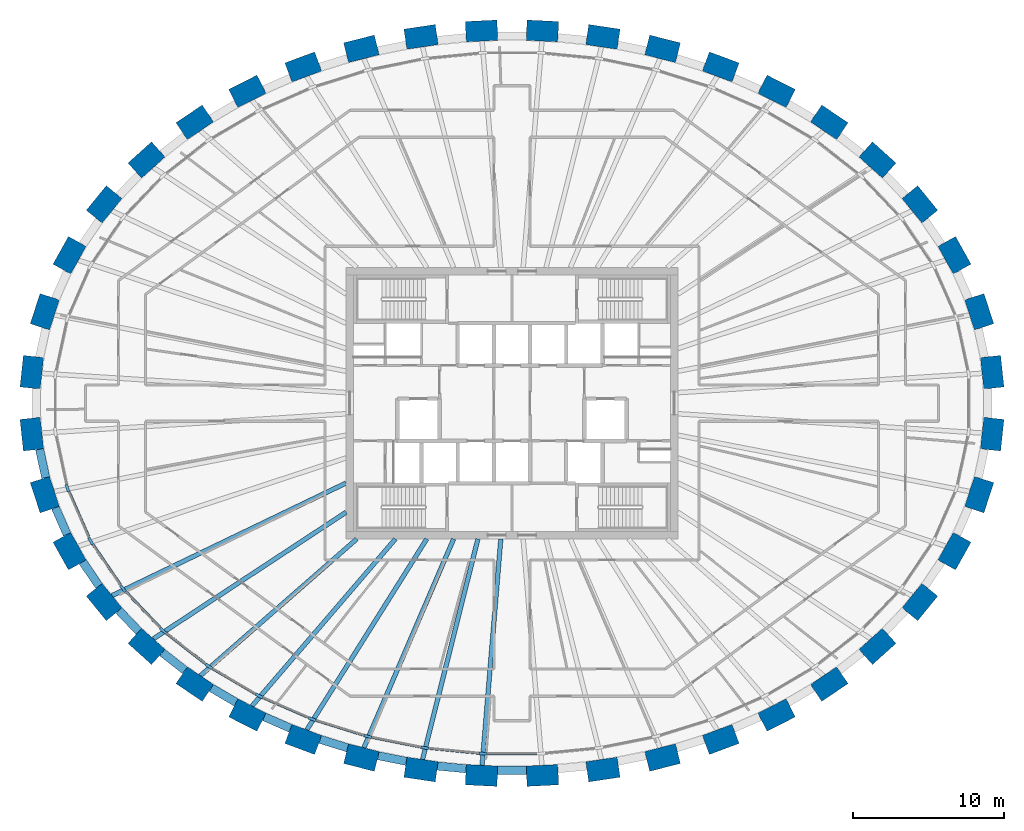
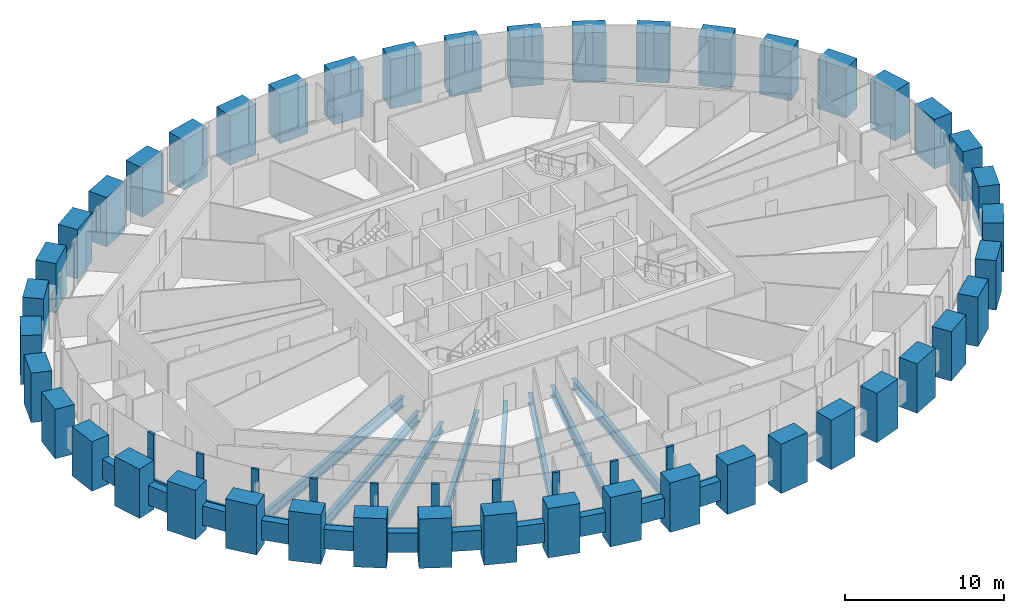
# One storey, part 1 of 12: 44 columns, 20 members, 19 beams, 1 element without a shape of its own.
"""IFC4 building model written with IfcOpenShell, lengths in metres."""

from ifc_helpers import new_model, si_unit, direction, frame, origin, origin_2d, place, context, subcontext, project, spatial, rectangle, i_section, extrude, source, transform, mapped, material, material_profile, profile_set, type_object, element, aggregate, save


model = new_model("IFC4")

# Units and contexts
model_context = context("Model", 3, precision=1e-05, world=origin(), true_north=direction((0.0, 1.0)))
body_context = subcontext(model_context, "Body", "Model", "MODEL_VIEW")
ifc_project = project(units=[si_unit("LENGTHUNIT", "METRE"), si_unit("AREAUNIT", "SQUARE_METRE"), si_unit("VOLUMEUNIT", "CUBIC_METRE"), si_unit("PLANEANGLEUNIT", "RADIAN"), si_unit("MASSUNIT", "GRAM", prefix="KILO")], contexts=[model_context])

# Site, building, storey
site_placement = place(None, origin())
site = spatial("IfcSite", under=ifc_project, at=site_placement, CompositionType="ELEMENT")
building_placement = place(site_placement, origin())
building = spatial("IfcBuilding", under=site, at=building_placement, Name="Embergate Tower", CompositionType="ELEMENT")
storey_placement = place(building_placement, frame((0.0, 0.0, 285.10009765625)))
storey = spatial("IfcBuildingStorey", under=building, at=storey_placement, Name="L66", CompositionType="ELEMENT", Elevation=285.10009765625)

# Columns
ifc_material_1 = material(Name="Concrete C60", Category="concrete")
ifc_material_profile_1 = material_profile(ifc_material_1, rectangle(XDim=1.35009765625, YDim=2.10009765625, at=origin_2d()), Name="RC 1350x2100")
ifc_profile_set_1 = profile_set([ifc_material_profile_1], Name="Concrete C60")
column_type = type_object("IfcColumnType", Name="Ring column RC 1350x2100 C60", PredefinedType="COLUMN", material=ifc_profile_set_1)
shared_shape_1 = source(origin(), body_context, "Body", "SweptSolid", [
    extrude(rectangle(XDim=1.35009765625, YDim=2.10009765625, at=origin_2d()), origin(), (0.0, 0.0, 1.0), 3.800048828125),
])
for number, where, z_axis, x_axis, name in (
    (1, (31.837890625, 2.052001953125, -1.400146484375), (0.0, 0.0, 1.0), (0.99428589498, 0.106749983816, 0.0), "COL-L66-00"),
    (2, (30.97607421875, 6.06103515625, -1.400146484375), (0.0, 0.0, 1.0), (0.950754033697, 0.309946394413, 0.0), "COL-L66-01"),
    (3, (29.33203125, 9.80810546875, -1.400146484375), (0.0, 0.0, 1.0), (0.873491969053, 0.486838556403, 0.0), "COL-L66-02"),
    (4, (27.0390625, 13.180908203125, -1.400146484375), (0.0, 0.0, 1.0), (0.775914301615, 0.630838328377, 0.0), "COL-L66-03"),
    (5, (24.23095703125, 16.125, -1.400146484375), (0.0, 0.0, 1.0), (0.669208424634, 0.74307475021, 0.0), "COL-L66-04"),
    (6, (21.032958984375, 18.6220703125, -1.400146484375), (0.0, 0.0, 1.0), (0.560393279442, 0.828226643109, 0.0), "COL-L66-05"),
    (7, (17.54296875, 20.674072265625, -1.400146484375), (0.0, 0.0, 1.0), (0.452994952881, 0.891513080478, 0.0), "COL-L66-06"),
    (8, (13.839111328125, 22.29296875, -1.400146484375), (0.0, 0.0, 1.0), (0.348343015724, 0.93736713373, 0.0), "COL-L66-07"),
    (9, (9.98388671875, 23.493896484375, -1.400146484375), (0.0, 0.0, 1.0), (0.246491603437, 0.969144926951, 0.0), "COL-L66-08"),
    (10, (6.029052734375, 24.287109375, -1.400146484375), (0.0, 0.0, 1.0), (0.146929011949, 0.989147039346, 0.0), "COL-L66-09"),
    (11, (2.01611328125, 24.681884765625, -1.400146484375), (0.0, 0.0, 1.0), (0.048814904854, 0.998807841912, 0.0), "COL-L66-10"),
    (12, (-2.01611328125, 24.681884765625, -1.400146484375), (0.0, 0.0, 1.0), (-0.048814904854, 0.998807841912, 0.0), "COL-L66-11"),
    (13, (-6.029052734375, 24.287109375, -1.400146484375), (0.0, 0.0, 1.0), (-0.146929011949, 0.989147039346, 0.0), "COL-L66-12"),
    (14, (-9.98388671875, 23.493896484375, -1.400146484375), (0.0, 0.0, 1.0), (-0.246491603437, 0.969144926951, 0.0), "COL-L66-13"),
    (15, (-13.839111328125, 22.29296875, -1.400146484375), (0.0, 0.0, 1.0), (-0.348343015724, 0.93736713373, 0.0), "COL-L66-14"),
    (16, (-17.54296875, 20.674072265625, -1.400146484375), (0.0, 0.0, 1.0), (-0.452994952881, 0.891513080478, 0.0), "COL-L66-15"),
    (17, (-21.032958984375, 18.6220703125, -1.400146484375), (0.0, 0.0, 1.0), (-0.560393279442, 0.828226643109, 0.0), "COL-L66-16"),
    (18, (-24.23095703125, 16.125, -1.400146484375), (0.0, 0.0, 1.0), (-0.669208424634, 0.74307475021, 0.0), "COL-L66-17"),
    (19, (-27.0390625, 13.180908203125, -1.400146484375), (0.0, 0.0, 1.0), (-0.775914301615, 0.630838328377, 0.0), "COL-L66-18"),
    (20, (-29.33203125, 9.80810546875, -1.400146484375), (0.0, 0.0, 1.0), (-0.873491969053, 0.486838556403, 0.0), "COL-L66-19"),
    (21, (-30.97607421875, 6.06103515625, -1.400146484375), (0.0, 0.0, 1.0), (-0.950754033697, 0.309946394413, 0.0), "COL-L66-20"),
    (22, (-31.837890625, 2.052001953125, -1.400146484375), (0.0, 0.0, 1.0), (-0.99428589498, 0.106749983816, 0.0), "COL-L66-21"),
    (23, (-31.837890625, -2.052001953125, -1.400146484375), (0.0, 0.0, 1.0), (-0.99428589498, -0.106749983816, 0.0), "COL-L66-22"),
    (24, (-30.97607421875, -6.06103515625, -1.400146484375), (0.0, 0.0, 1.0), (-0.950754033697, -0.309946394413, 0.0), "COL-L66-23"),
    (25, (-29.33203125, -9.80810546875, -1.400146484375), (0.0, 0.0, 1.0), (-0.873491969053, -0.486838556403, 0.0), "COL-L66-24"),
    (26, (-27.0390625, -13.180908203125, -1.400146484375), (0.0, 0.0, 1.0), (-0.775914301615, -0.630838328377, 0.0), "COL-L66-25"),
    (27, (-24.23095703125, -16.125, -1.400146484375), (0.0, 0.0, 1.0), (-0.669208424634, -0.74307475021, 0.0), "COL-L66-26"),
    (28, (-21.032958984375, -18.6220703125, -1.400146484375), (0.0, 0.0, 1.0), (-0.560393279442, -0.828226643109, 0.0), "COL-L66-27"),
    (29, (-17.54296875, -20.674072265625, -1.400146484375), (0.0, 0.0, 1.0), (-0.452994952881, -0.891513080478, 0.0), "COL-L66-28"),
    (30, (-13.839111328125, -22.29296875, -1.400146484375), (0.0, 0.0, 1.0), (-0.348343015724, -0.93736713373, 0.0), "COL-L66-29"),
    (31, (-9.98388671875, -23.493896484375, -1.400146484375), (0.0, 0.0, 1.0), (-0.246491603437, -0.969144926951, 0.0), "COL-L66-30"),
    (32, (-6.029052734375, -24.287109375, -1.400146484375), (0.0, 0.0, 1.0), (-0.146929011949, -0.989147039346, 0.0), "COL-L66-31"),
    (33, (-2.01611328125, -24.681884765625, -1.400146484375), (0.0, 0.0, 1.0), (-0.048814904854, -0.998807841912, 0.0), "COL-L66-32"),
    (34, (2.01611328125, -24.681884765625, -1.400146484375), (0.0, 0.0, 1.0), (0.048814904854, -0.998807841912, 0.0), "COL-L66-33"),
    (35, (6.029052734375, -24.287109375, -1.400146484375), (0.0, 0.0, 1.0), (0.146929011949, -0.989147039346, 0.0), "COL-L66-34"),
    (36, (9.98388671875, -23.493896484375, -1.400146484375), (0.0, 0.0, 1.0), (0.246491603437, -0.969144926951, 0.0), "COL-L66-35"),
    (37, (13.839111328125, -22.29296875, -1.400146484375), (0.0, 0.0, 1.0), (0.348343015724, -0.93736713373, 0.0), "COL-L66-36"),
    (38, (17.54296875, -20.674072265625, -1.400146484375), (0.0, 0.0, 1.0), (0.452994952881, -0.891513080478, 0.0), "COL-L66-37"),
    (39, (21.032958984375, -18.6220703125, -1.400146484375), (0.0, 0.0, 1.0), (0.560393279442, -0.828226643109, 0.0), "COL-L66-38"),
    (40, (24.23095703125, -16.125, -1.400146484375), (0.0, 0.0, 1.0), (0.669208424634, -0.74307475021, 0.0), "COL-L66-39"),
    (41, (27.0390625, -13.180908203125, -1.400146484375), (0.0, 0.0, 1.0), (0.775914301615, -0.630838328377, 0.0), "COL-L66-40"),
    (42, (29.33203125, -9.80810546875, -1.400146484375), (0.0, 0.0, 1.0), (0.873491969053, -0.486838556403, 0.0), "COL-L66-41"),
    (43, (30.97607421875, -6.06103515625, -1.400146484375), (0.0, 0.0, 1.0), (0.950754033697, -0.309946394413, 0.0), "COL-L66-42"),
    (44, (31.837890625, -2.052001953125, -1.400146484375), (0.0, 0.0, 1.0), (0.99428589498, -0.106749983816, 0.0), "COL-L66-43"),
):
    element("IfcColumn", number, at=place(storey_placement, frame(where, z_axis=z_axis, x_axis=x_axis)), inside=storey, type_object=column_type, Name=name, PredefinedType="COLUMN", context=body_context, shape_type="MappedRepresentation", body=[
        mapped(shared_shape_1, transform((0.0, 0.0, 0.0))),
    ])

# Beams
ifc_material_profile_2 = material_profile(ifc_material_1, rectangle(XDim=0.550048828125, YDim=1.5, at=origin_2d()), Name="RC 550x1500")
ifc_profile_set_2 = profile_set([ifc_material_profile_2], Name="Concrete C60")
beam_type_1 = type_object("IfcBeamType", Name="Spandrel beam RC 550x1500 C60", PredefinedType="BEAM", material=ifc_profile_set_2)
shared_shape_2 = source(origin(), body_context, "Body", "SweptSolid", [
    extrude(rectangle(XDim=0.550048828125, YDim=1.5, at=origin_2d()), origin(), (0.0, 0.0, 1.0), 1.927978515625),
])
beam_1_placement = place(storey_placement, frame((-31.320068359375, -3.052001953125, 0.0), z_axis=(0.210073860291, -0.97768551857, 0.0), x_axis=(0.97768551857, 0.210073860291, 0.0)))
element("IfcBeam", 45, at=beam_1_placement, inside=storey, type_object=beam_type_1, Name="SPN-L66-22", PredefinedType="BEAM", context=body_context, shape_type="MappedRepresentation", body=[
    mapped(shared_shape_2, transform((0.0, 0.0, 0.0))),
])
shared_shape_3 = source(origin(), body_context, "Body", "SweptSolid", [
    extrude(rectangle(XDim=0.550048828125, YDim=1.5, at=origin_2d()), origin(), (0.0, 0.0, 1.0), 1.924560546875),
])
beam_2_placement = place(storey_placement, frame((-30.26904296875, -6.93505859375, 0.0), z_axis=(0.402156084764, -0.91557112421, 0.0), x_axis=(0.91557112421, 0.402156084764, 0.0)))
element("IfcBeam", 46, at=beam_2_placement, inside=storey, type_object=beam_type_1, Name="SPN-L66-23", PredefinedType="BEAM", context=body_context, shape_type="MappedRepresentation", body=[
    mapped(shared_shape_3, transform((0.0, 0.0, 0.0))),
])
shared_shape_4 = source(origin(), body_context, "Body", "SweptSolid", [
    extrude(rectangle(XDim=0.550048828125, YDim=1.5, at=origin_2d()), origin(), (0.0, 0.0, 1.0), 1.91455078125),
])
beam_3_placement = place(storey_placement, frame((-28.4609375, -10.52490234375, 0.0), z_axis=(0.562473939822, -0.826815013785, 0.0), x_axis=(0.826815013785, 0.562473939822, 0.0)))
element("IfcBeam", 47, at=beam_3_placement, inside=storey, type_object=beam_type_1, Name="SPN-L66-24", PredefinedType="BEAM", context=body_context, shape_type="MappedRepresentation", body=[
    mapped(shared_shape_4, transform((0.0, 0.0, 0.0))),
])
shared_shape_5 = source(origin(), body_context, "Body", "SweptSolid", [
    extrude(rectangle(XDim=0.550048828125, YDim=1.5, at=origin_2d()), origin(), (0.0, 0.0, 1.0), 1.913330078125),
])
beam_4_placement = place(storey_placement, frame((-26.06494140625, -13.741943359375, 0.0), z_axis=(0.690454502374, -0.723375822206, 0.0), x_axis=(0.723375822206, 0.690454502374, 0.0)))
element("IfcBeam", 48, at=beam_4_placement, inside=storey, type_object=beam_type_1, Name="SPN-L66-25", PredefinedType="BEAM", context=body_context, shape_type="MappedRepresentation", body=[
    mapped(shared_shape_5, transform((0.0, 0.0, 0.0))),
])
shared_shape_6 = source(origin(), body_context, "Body", "SweptSolid", [
    extrude(rectangle(XDim=0.550048828125, YDim=1.5, at=origin_2d()), origin(), (0.0, 0.0, 1.0), 1.907958984375),
])
beam_5_placement = place(storey_placement, frame((-23.18798828125, -16.535888671875, 0.0), z_axis=(0.788241602778, -0.615365887623, 0.0), x_axis=(0.615365887623, 0.788241602778, 0.0)))
element("IfcBeam", 49, at=beam_5_placement, inside=storey, type_object=beam_type_1, Name="SPN-L66-26", PredefinedType="BEAM", context=body_context, shape_type="MappedRepresentation", body=[
    mapped(shared_shape_6, transform((0.0, 0.0, 0.0))),
])
shared_shape_7 = source(origin(), body_context, "Body", "SweptSolid", [
    extrude(rectangle(XDim=0.550048828125, YDim=1.5, at=origin_2d()), origin(), (0.0, 0.0, 1.0), 1.90234375),
])
beam_6_placement = place(storey_placement, frame((-19.93603515625, -18.8740234375, 0.0), z_axis=(0.862145280572, -0.506661144343, 0.0), x_axis=(0.506661144343, 0.862145280572, 0.0)))
element("IfcBeam", 50, at=beam_6_placement, inside=storey, type_object=beam_type_1, Name="SPN-L66-27", PredefinedType="BEAM", context=body_context, shape_type="MappedRepresentation", body=[
    mapped(shared_shape_7, transform((0.0, 0.0, 0.0))),
])
shared_shape_8 = source(origin(), body_context, "Body", "SweptSolid", [
    extrude(rectangle(XDim=0.550048828125, YDim=1.5, at=origin_2d()), origin(), (0.0, 0.0, 1.0), 1.89990234375),
])
beam_7_placement = place(storey_placement, frame((-16.425048828125, -20.79296875, 0.0), z_axis=(0.916289991501, -0.400515482192, 0.0), x_axis=(0.400515482192, 0.916289991501, 0.0)))
element("IfcBeam", 51, at=beam_7_placement, inside=storey, type_object=beam_type_1, Name="SPN-L66-28", PredefinedType="BEAM", context=body_context, shape_type="MappedRepresentation", body=[
    mapped(shared_shape_8, transform((0.0, 0.0, 0.0))),
])
shared_shape_9 = source(origin(), body_context, "Body", "SweptSolid", [
    extrude(rectangle(XDim=0.550048828125, YDim=1.5, at=origin_2d()), origin(), (0.0, 0.0, 1.0), 1.898681640625),
])
beam_8_placement = place(storey_placement, frame((-12.717041015625, -22.2880859375, 0.0), z_axis=(0.954868123024, -0.297030078667, 0.0), x_axis=(0.297030078667, 0.954868123024, 0.0)))
element("IfcBeam", 52, at=beam_8_placement, inside=storey, type_object=beam_type_1, Name="SPN-L66-29", PredefinedType="BEAM", context=body_context, shape_type="MappedRepresentation", body=[
    mapped(shared_shape_9, transform((0.0, 0.0, 0.0))),
])
shared_shape_10 = source(origin(), body_context, "Body", "SweptSolid", [
    extrude(rectangle(XDim=0.550048828125, YDim=1.5, at=origin_2d()), origin(), (0.0, 0.0, 1.0), 1.895751953125),
])
beam_9_placement = place(storey_placement, frame((-8.868896484375, -23.3720703125, 0.0), z_axis=(0.980575722075, -0.196140901592, 0.0), x_axis=(0.196140901592, 0.980575722075, 0.0)))
element("IfcBeam", 53, at=beam_9_placement, inside=storey, type_object=beam_type_1, Name="SPN-L66-30", PredefinedType="BEAM", context=body_context, shape_type="MappedRepresentation", body=[
    mapped(shared_shape_10, transform((0.0, 0.0, 0.0))),
])
shared_shape_11 = source(origin(), body_context, "Body", "SweptSolid", [
    extrude(rectangle(XDim=0.550048828125, YDim=1.5, at=origin_2d()), origin(), (0.0, 0.0, 1.0), 1.896240234375),
])
beam_10_placement = place(storey_placement, frame((-4.93310546875, -24.053955078125, 0.0), z_axis=(0.995176416472, -0.098101478571, 0.0), x_axis=(0.098101478571, 0.995176416472, 0.0)))
element("IfcBeam", 54, at=beam_10_placement, inside=storey, type_object=beam_type_1, Name="SPN-L66-31", PredefinedType="BEAM", context=body_context, shape_type="MappedRepresentation", body=[
    mapped(shared_shape_11, transform((0.0, 0.0, 0.0))),
])
shared_shape_12 = source(origin(), body_context, "Body", "SweptSolid", [
    extrude(rectangle(XDim=0.550048828125, YDim=1.5, at=origin_2d()), origin(), (0.0, 0.0, 1.0), 1.89599609375),
])
beam_11_placement = place(storey_placement, frame((-0.947998046875, -24.343017578125, 0.0), z_axis=(1.0, 0.0, 0.0), x_axis=(0.0, 1.0, 0.0)))
element("IfcBeam", 55, at=beam_11_placement, inside=storey, type_object=beam_type_1, Name="SPN-L66-32", PredefinedType="BEAM", context=body_context, shape_type="MappedRepresentation", body=[
    mapped(shared_shape_12, transform((0.0, 0.0, 0.0))),
])
ifc_material_2 = material(Name="Steel Q355B", Category="steel")
ifc_material_profile_3 = material_profile(ifc_material_2, i_section(OverallWidth=0.300048828125, OverallDepth=0.800048828125, WebThickness=0.013916015625, FlangeThickness=0.02587890625, FilletRadius=0.028076171875, at=origin_2d()), Name="HN 800x300x14x26")
ifc_profile_set_3 = profile_set([ifc_material_profile_3], Name="Steel Q355 grade B")
beam_type_2 = type_object("IfcBeamType", Name="Radial girder HN 800x300x14x26", PredefinedType="BEAM", material=ifc_profile_set_3)
shared_shape_13 = source(origin(), body_context, "Body", "SweptSolid", [
    extrude(i_section(OverallWidth=0.300048828125, OverallDepth=0.800048828125, WebThickness=0.013916015625, FlangeThickness=0.02587890625, FilletRadius=0.028076171875, at=origin_2d()), origin(), (0.0, 0.0, 1.0), 17.216552734375),
])
beam_12_placement = place(storey_placement, frame((-26.514892578125, -12.7548828125, -0.60009765625), z_axis=(0.90116604055, 0.433474067689, 0.0), x_axis=(-0.433474067689, 0.90116604055, 0.0)))
element("IfcBeam", 56, at=beam_12_placement, inside=storey, type_object=beam_type_2, Name="GIR-L66-25", PredefinedType="BEAM", context=body_context, shape_type="MappedRepresentation", body=[
    mapped(shared_shape_13, transform((0.0, 0.0, 0.0))),
])
shared_shape_14 = source(origin(), body_context, "Body", "SweptSolid", [
    extrude(i_section(OverallWidth=0.300048828125, OverallDepth=0.800048828125, WebThickness=0.013916015625, FlangeThickness=0.02587890625, FilletRadius=0.028076171875, at=origin_2d()), origin(), (0.0, 0.0, 1.0), 15.29052734375),
])
beam_13_placement = place(storey_placement, frame((-23.779052734375, -15.623046875, -0.60009765625), z_axis=(0.835755516173, 0.549101736645, 0.0), x_axis=(-0.549101736645, 0.835755516173, 0.0)))
element("IfcBeam", 57, at=beam_13_placement, inside=storey, type_object=beam_type_2, Name="GIR-L66-26", PredefinedType="BEAM", context=body_context, shape_type="MappedRepresentation", body=[
    mapped(shared_shape_14, transform((0.0, 0.0, 0.0))),
])
ifc_material_profile_4 = material_profile(ifc_material_2, i_section(OverallWidth=0.300048828125, OverallDepth=0.699951171875, WebThickness=0.012939453125, FlangeThickness=0.02392578125, FilletRadius=0.01806640625, at=origin_2d()), Name="HN 700x300x13x24")
ifc_profile_set_4 = profile_set([ifc_material_profile_4], Name="Steel Q355 grade B")
beam_type_3 = type_object("IfcBeamType", Name="Radial girder HN 700x300x13x24", PredefinedType="BEAM", material=ifc_profile_set_4)
shared_shape_15 = source(origin(), body_context, "Body", "SweptSolid", [
    extrude(i_section(OverallWidth=0.300048828125, OverallDepth=0.699951171875, WebThickness=0.012939453125, FlangeThickness=0.02392578125, FilletRadius=0.01806640625, at=origin_2d()), origin(), (0.0, 0.0, 1.0), 13.767822265625),
])
beam_14_placement = place(storey_placement, frame((-20.655029296875, -18.06298828125, -0.550048828125), z_axis=(0.752775487565, 0.658277346809, 0.0), x_axis=(-0.658277346809, 0.752775487565, 0.0)))
element("IfcBeam", 58, at=beam_14_placement, inside=storey, type_object=beam_type_3, Name="GIR-L66-27", PredefinedType="BEAM", context=body_context, shape_type="MappedRepresentation", body=[
    mapped(shared_shape_15, transform((0.0, 0.0, 0.0))),
])
shared_shape_16 = source(origin(), body_context, "Body", "SweptSolid", [
    extrude(i_section(OverallWidth=0.300048828125, OverallDepth=0.699951171875, WebThickness=0.012939453125, FlangeThickness=0.02392578125, FilletRadius=0.01806640625, at=origin_2d()), origin(), (0.0, 0.0, 1.0), 14.59423828125),
])
beam_15_placement = place(storey_placement, frame((-17.237060546875, -20.072021484375, -0.550048828125), z_axis=(0.651492316214, 0.758655232575, 0.0), x_axis=(-0.758655232575, 0.651492316214, 0.0)))
element("IfcBeam", 59, at=beam_15_placement, inside=storey, type_object=beam_type_3, Name="GIR-L66-28", PredefinedType="BEAM", context=body_context, shape_type="MappedRepresentation", body=[
    mapped(shared_shape_16, transform((0.0, 0.0, 0.0))),
])
shared_shape_17 = source(origin(), body_context, "Body", "SweptSolid", [
    extrude(i_section(OverallWidth=0.300048828125, OverallDepth=0.699951171875, WebThickness=0.012939453125, FlangeThickness=0.02392578125, FilletRadius=0.01806640625, at=origin_2d()), origin(), (0.0, 0.0, 1.0), 14.94970703125),
])
beam_16_placement = place(storey_placement, frame((-13.60400390625, -21.659912109375, -0.550048828125), z_axis=(0.531848758453, 0.846839357926, 0.0), x_axis=(-0.846839357926, 0.531848758453, 0.0)))
element("IfcBeam", 60, at=beam_16_placement, inside=storey, type_object=beam_type_3, Name="GIR-L66-29", PredefinedType="BEAM", context=body_context, shape_type="MappedRepresentation", body=[
    mapped(shared_shape_17, transform((0.0, 0.0, 0.0))),
])
shared_shape_18 = source(origin(), body_context, "Body", "SweptSolid", [
    extrude(i_section(OverallWidth=0.300048828125, OverallDepth=0.800048828125, WebThickness=0.013916015625, FlangeThickness=0.02587890625, FilletRadius=0.028076171875, at=origin_2d()), origin(), (0.0, 0.0, 1.0), 15.064453125),
])
beam_17_placement = place(storey_placement, frame((-9.818115234375, -22.840087890625, -0.60009765625), z_axis=(0.394914636063, 0.918717818605, 0.0), x_axis=(-0.918717818605, 0.394914636063, 0.0)))
element("IfcBeam", 61, at=beam_17_placement, inside=storey, type_object=beam_type_2, Name="GIR-L66-30", PredefinedType="BEAM", context=body_context, shape_type="MappedRepresentation", body=[
    mapped(shared_shape_18, transform((0.0, 0.0, 0.0))),
])
shared_shape_19 = source(origin(), body_context, "Body", "SweptSolid", [
    extrude(i_section(OverallWidth=0.300048828125, OverallDepth=0.800048828125, WebThickness=0.013916015625, FlangeThickness=0.02587890625, FilletRadius=0.028076171875, at=origin_2d()), origin(), (0.0, 0.0, 1.0), 15.072509765625),
])
beam_18_placement = place(storey_placement, frame((-5.929931640625, -23.618896484375, -0.60009765625), z_axis=(0.243484506306, 0.969904786662, 0.0), x_axis=(-0.969904786662, 0.243484506306, 0.0)))
element("IfcBeam", 62, at=beam_18_placement, inside=storey, type_object=beam_type_2, Name="GIR-L66-31", PredefinedType="BEAM", context=body_context, shape_type="MappedRepresentation", body=[
    mapped(shared_shape_19, transform((0.0, 0.0, 0.0))),
])
shared_shape_20 = source(origin(), body_context, "Body", "SweptSolid", [
    extrude(i_section(OverallWidth=0.300048828125, OverallDepth=0.800048828125, WebThickness=0.013916015625, FlangeThickness=0.02587890625, FilletRadius=0.028076171875, at=origin_2d()), origin(), (0.0, 0.0, 1.0), 15.05908203125),
])
beam_19_placement = place(storey_placement, frame((-1.98291015625, -24.008056640625, -0.60009765625), z_axis=(0.082341072881, 0.996604208157, 0.0), x_axis=(-0.996604208157, 0.082341072881, 0.0)))
element("IfcBeam", 63, at=beam_19_placement, inside=storey, type_object=beam_type_2, Name="GIR-L66-32", PredefinedType="BEAM", context=body_context, shape_type="MappedRepresentation", body=[
    mapped(shared_shape_20, transform((0.0, 0.0, 0.0))),
])

# Curtain wall, members
ifc_material_3 = material(Name="Aluminium and glass", Category="aluminium")
curtain_wall_type = type_object("IfcCurtainWallType", Name="Recessed office glazing", PredefinedType="NOTDEFINED", material=ifc_material_3)
curtain_wall_placement = place(storey_placement, origin())
curtain_wall = element("IfcCurtainWall", 64, at=curtain_wall_placement, inside=storey, type_object=curtain_wall_type, Name="Recessed office glazing ring", ObjectType="RECESSED OFFICE GLAZING", PredefinedType="USERDEFINED")
ifc_material_4 = material(Name="Aluminium, thermally broken", Category="aluminium")
ifc_material_profile_5 = material_profile(ifc_material_4, rectangle(XDim=0.179931640625, YDim=0.52001953125, at=origin_2d()), Name="AL 520x180")
ifc_profile_set_5 = profile_set([ifc_material_profile_5], Name="Aluminium, thermally broken")
member_type_1 = type_object("IfcMemberType", Name="Office mullion", PredefinedType="MULLION", material=ifc_profile_set_5)
shared_shape_21 = source(origin(), body_context, "Body", "SweptSolid", [
    extrude(rectangle(XDim=0.179931640625, YDim=0.52001953125, at=origin_2d()), origin(), (0.0, 0.0, 1.0), 3.599853515625),
])
member_1_placement = place(storey_placement, frame((-29.47412109375, -5.635986328125, 0.0), z_axis=(0.0, 0.0, 1.0), x_axis=(0.951491354261, 0.307675482882, 0.0)))
member_1 = element("IfcMember", 65, at=member_1_placement, type_object=member_type_1, Name="CW mullion 24", PredefinedType="MULLION", context=body_context, shape_type="MappedRepresentation", body=[
    mapped(shared_shape_21, transform((0.0, 0.0, 0.0))),
])
member_2_placement = place(storey_placement, frame((-27.93896484375, -9.13623046875, 0.0), z_axis=(0.0, 0.0, 1.0), x_axis=(0.874988376324, 0.484143926222, 0.0)))
member_2 = element("IfcMember", 66, at=member_2_placement, type_object=member_type_1, Name="CW mullion 25", PredefinedType="MULLION", context=body_context, shape_type="MappedRepresentation", body=[
    mapped(shared_shape_21, transform((0.0, 0.0, 0.0))),
])
member_3_placement = place(storey_placement, frame((-25.784912109375, -12.3037109375, 0.0), z_axis=(0.0, 0.0, 1.0), x_axis=(0.777856112038, 0.628442414996, 0.0)))
member_3 = element("IfcMember", 67, at=member_3_placement, type_object=member_type_1, Name="CW mullion 26", PredefinedType="MULLION", context=body_context, shape_type="MappedRepresentation", body=[
    mapped(shared_shape_21, transform((0.0, 0.0, 0.0))),
])
member_4_placement = place(storey_placement, frame((-23.135498046875, -15.081787109375, 0.0), z_axis=(0.0, 0.0, 1.0), x_axis=(0.671209715303, 0.741267507775, 0.0)))
member_4 = element("IfcMember", 68, at=member_4_placement, type_object=member_type_1, Name="CW mullion 27", PredefinedType="MULLION", context=body_context, shape_type="MappedRepresentation", body=[
    mapped(shared_shape_21, transform((0.0, 0.0, 0.0))),
])
member_5_placement = place(storey_placement, frame((-20.103271484375, -17.4482421875, 0.0), z_axis=(0.0, 0.0, 1.0), x_axis=(0.562201741385, 0.827000122118, 0.0)))
member_5 = element("IfcMember", 69, at=member_5_placement, type_object=member_type_1, Name="CW mullion 28", PredefinedType="MULLION", context=body_context, shape_type="MappedRepresentation", body=[
    mapped(shared_shape_21, transform((0.0, 0.0, 0.0))),
])
member_6_placement = place(storey_placement, frame((-16.782470703125, -19.400634765625, 0.0), z_axis=(0.0, 0.0, 1.0), x_axis=(0.454498943392, 0.890747276423, 0.0)))
member_6 = element("IfcMember", 70, at=member_6_placement, type_object=member_type_1, Name="CW mullion 29", PredefinedType="MULLION", context=body_context, shape_type="MappedRepresentation", body=[
    mapped(shared_shape_21, transform((0.0, 0.0, 0.0))),
])
member_7_placement = place(storey_placement, frame((-13.248779296875, -20.94580078125, 0.0), z_axis=(0.0, 0.0, 1.0), x_axis=(0.349492871267, 0.93693902306, 0.0)))
member_7 = element("IfcMember", 71, at=member_7_placement, type_object=member_type_1, Name="CW mullion 30", PredefinedType="MULLION", context=body_context, shape_type="MappedRepresentation", body=[
    mapped(shared_shape_21, transform((0.0, 0.0, 0.0))),
])
member_8_placement = place(storey_placement, frame((-9.5634765625, -22.093505859375, 0.0), z_axis=(0.0, 0.0, 1.0), x_axis=(0.247305116915, 0.968937654933, 0.0)))
member_8 = element("IfcMember", 72, at=member_8_placement, type_object=member_type_1, Name="CW mullion 31", PredefinedType="MULLION", context=body_context, shape_type="MappedRepresentation", body=[
    mapped(shared_shape_21, transform((0.0, 0.0, 0.0))),
])
member_9_placement = place(storey_placement, frame((-5.776611328125, -22.852783203125, 0.0), z_axis=(0.0, 0.0, 1.0), x_axis=(0.147407204031, 0.98907589001, 0.0)))
member_9 = element("IfcMember", 73, at=member_9_placement, type_object=member_type_1, Name="CW mullion 32", PredefinedType="MULLION", context=body_context, shape_type="MappedRepresentation", body=[
    mapped(shared_shape_21, transform((0.0, 0.0, 0.0))),
])
member_10_placement = place(storey_placement, frame((-1.931884765625, -23.230712890625, 0.0), z_axis=(0.0, 0.0, 1.0), x_axis=(0.048970053385, 0.998800247232, 0.0)))
member_10 = element("IfcMember", 74, at=member_10_placement, type_object=member_type_1, Name="CW mullion 33", PredefinedType="MULLION", context=body_context, shape_type="MappedRepresentation", body=[
    mapped(shared_shape_21, transform((0.0, 0.0, 0.0))),
])
ifc_material_profile_6 = material_profile(ifc_material_4, rectangle(XDim=0.179931640625, YDim=0.14990234375, at=origin_2d()), Name="AL 150x180")
ifc_profile_set_6 = profile_set([ifc_material_profile_6], Name="Aluminium, thermally broken")
member_type_2 = type_object("IfcMemberType", Name="Office sill transom", PredefinedType="USERDEFINED", material=ifc_profile_set_6)
shared_shape_22 = source(origin(), body_context, "Body", "SweptSolid", [
    extrude(rectangle(XDim=0.179931640625, YDim=0.14990234375, at=origin_2d()), origin(), (0.0, 0.0, 1.0), 3.302001953125),
])
member_11_placement = place(storey_placement, frame((-29.36962890625, -5.874267578125, 0.074951171875), z_axis=(0.401633209746, -0.915800614123, 0.0), x_axis=(0.915800614123, 0.401633209746, 0.0)))
member_11 = element("IfcMember", 75, at=member_11_placement, type_object=member_type_2, Name="CW transom 24.1", ObjectType="TRANSOM", PredefinedType="USERDEFINED", context=body_context, shape_type="MappedRepresentation", body=[
    mapped(shared_shape_22, transform((0.0, 0.0, 0.0))),
])
shared_shape_23 = source(origin(), body_context, "Body", "SweptSolid", [
    extrude(rectangle(XDim=0.179931640625, YDim=0.14990234375, at=origin_2d()), origin(), (0.0, 0.0, 1.0), 3.310302734375),
])
member_12_placement = place(storey_placement, frame((-27.792724609375, -9.351318359375, 0.074951171875), z_axis=(0.562352383191, -0.82689769447, 0.0), x_axis=(0.82689769447, 0.562352383191, 0.0)))
member_12 = element("IfcMember", 76, at=member_12_placement, type_object=member_type_2, Name="CW transom 25.1", ObjectType="TRANSOM", PredefinedType="USERDEFINED", context=body_context, shape_type="MappedRepresentation", body=[
    mapped(shared_shape_23, transform((0.0, 0.0, 0.0))),
])
shared_shape_24 = source(origin(), body_context, "Body", "SweptSolid", [
    extrude(rectangle(XDim=0.179931640625, YDim=0.14990234375, at=origin_2d()), origin(), (0.0, 0.0, 1.0), 3.3193359375),
])
member_13_placement = place(storey_placement, frame((-25.60546875, -12.49169921875, 0.074951171875), z_axis=(0.690138048093, -0.723677742213, 0.0), x_axis=(0.723677742213, 0.690138048093, 0.0)))
member_13 = element("IfcMember", 77, at=member_13_placement, type_object=member_type_2, Name="CW transom 26.1", ObjectType="TRANSOM", PredefinedType="USERDEFINED", context=body_context, shape_type="MappedRepresentation", body=[
    mapped(shared_shape_24, transform((0.0, 0.0, 0.0))),
])
shared_shape_25 = source(origin(), body_context, "Body", "SweptSolid", [
    extrude(rectangle(XDim=0.179931640625, YDim=0.14990234375, at=origin_2d()), origin(), (0.0, 0.0, 1.0), 3.326416015625),
])
member_14_placement = place(storey_placement, frame((-22.930419921875, -15.24169921875, 0.074951171875), z_axis=(0.788323597631, -0.615260843398, 0.0), x_axis=(0.615260843398, 0.788323597631, 0.0)))
member_14 = element("IfcMember", 78, at=member_14_placement, type_object=member_type_2, Name="CW transom 27.1", ObjectType="TRANSOM", PredefinedType="USERDEFINED", context=body_context, shape_type="MappedRepresentation", body=[
    mapped(shared_shape_25, transform((0.0, 0.0, 0.0))),
])
shared_shape_26 = source(origin(), body_context, "Body", "SweptSolid", [
    extrude(rectangle(XDim=0.179931640625, YDim=0.14990234375, at=origin_2d()), origin(), (0.0, 0.0, 1.0), 3.33203125),
])
member_15_placement = place(storey_placement, frame((-19.87890625, -17.580078125, 0.074951171875), z_axis=(0.862049093097, -0.506824783421, 0.0), x_axis=(0.506824783421, 0.862049093097, 0.0)))
member_15 = element("IfcMember", 79, at=member_15_placement, type_object=member_type_2, Name="CW transom 28.1", ObjectType="TRANSOM", PredefinedType="USERDEFINED", context=body_context, shape_type="MappedRepresentation", body=[
    mapped(shared_shape_26, transform((0.0, 0.0, 0.0))),
])
shared_shape_27 = source(origin(), body_context, "Body", "SweptSolid", [
    extrude(rectangle(XDim=0.179931640625, YDim=0.14990234375, at=origin_2d()), origin(), (0.0, 0.0, 1.0), 3.3369140625),
])
member_16_placement = place(storey_placement, frame((-16.544189453125, -19.5048828125, 0.074951171875), z_axis=(0.9162597376, -0.40058468924, 0.0), x_axis=(0.40058468924, 0.9162597376, 0.0)))
member_16 = element("IfcMember", 80, at=member_16_placement, type_object=member_type_2, Name="CW transom 29.1", ObjectType="TRANSOM", PredefinedType="USERDEFINED", context=body_context, shape_type="MappedRepresentation", body=[
    mapped(shared_shape_27, transform((0.0, 0.0, 0.0))),
])
shared_shape_28 = source(origin(), body_context, "Body", "SweptSolid", [
    extrude(rectangle(XDim=0.179931640625, YDim=0.14990234375, at=origin_2d()), origin(), (0.0, 0.0, 1.0), 3.340087890625),
])
member_17_placement = place(storey_placement, frame((-13.00048828125, -21.023193359375, 0.074951171875), z_axis=(0.95478901941, -0.29728425524, 0.0), x_axis=(0.29728425524, 0.95478901941, 0.0)))
member_17 = element("IfcMember", 81, at=member_17_placement, type_object=member_type_2, Name="CW transom 30.1", ObjectType="TRANSOM", PredefinedType="USERDEFINED", context=body_context, shape_type="MappedRepresentation", body=[
    mapped(shared_shape_28, transform((0.0, 0.0, 0.0))),
])
shared_shape_29 = source(origin(), body_context, "Body", "SweptSolid", [
    extrude(rectangle(XDim=0.179931640625, YDim=0.14990234375, at=origin_2d()), origin(), (0.0, 0.0, 1.0), 3.34228515625),
])
member_18_placement = place(storey_placement, frame((-9.30859375, -22.14453125, 0.074951171875), z_axis=(0.980476589981, -0.196635847443, 0.0), x_axis=(0.196635847443, 0.980476589981, 0.0)))
member_18 = element("IfcMember", 82, at=member_18_placement, type_object=member_type_2, Name="CW transom 31.1", ObjectType="TRANSOM", PredefinedType="USERDEFINED", context=body_context, shape_type="MappedRepresentation", body=[
    mapped(shared_shape_29, transform((0.0, 0.0, 0.0))),
])
shared_shape_30 = source(origin(), body_context, "Body", "SweptSolid", [
    extrude(rectangle(XDim=0.179931640625, YDim=0.14990234375, at=origin_2d()), origin(), (0.0, 0.0, 1.0), 3.34326171875),
])
member_19_placement = place(storey_placement, frame((-5.517822265625, -22.87841796875, 0.074951171875), z_axis=(0.995207784906, -0.097782743175, 0.0), x_axis=(0.097782743175, 0.995207784906, 0.0)))
member_19 = element("IfcMember", 83, at=member_19_placement, type_object=member_type_2, Name="CW transom 32.1", ObjectType="TRANSOM", PredefinedType="USERDEFINED", context=body_context, shape_type="MappedRepresentation", body=[
    mapped(shared_shape_30, transform((0.0, 0.0, 0.0))),
])
shared_shape_31 = source(origin(), body_context, "Body", "SweptSolid", [
    extrude(rectangle(XDim=0.179931640625, YDim=0.14990234375, at=origin_2d()), origin(), (0.0, 0.0, 1.0), 3.34375),
])
member_20_placement = place(storey_placement, frame((-1.671875, -23.230712890625, 0.074951171875), z_axis=(1.0, 0.0, 0.0), x_axis=(0.0, 1.0, 0.0)))
member_20 = element("IfcMember", 84, at=member_20_placement, type_object=member_type_2, Name="CW transom 33.1", ObjectType="TRANSOM", PredefinedType="USERDEFINED", context=body_context, shape_type="MappedRepresentation", body=[
    mapped(shared_shape_31, transform((0.0, 0.0, 0.0))),
])
aggregate(curtain_wall, [member_1, member_2, member_3, member_4, member_5, member_6, member_7, member_8, member_9, member_10, member_11, member_12, member_13, member_14, member_15, member_16, member_17, member_18, member_19, member_20])

save(model, "model.ifc")
